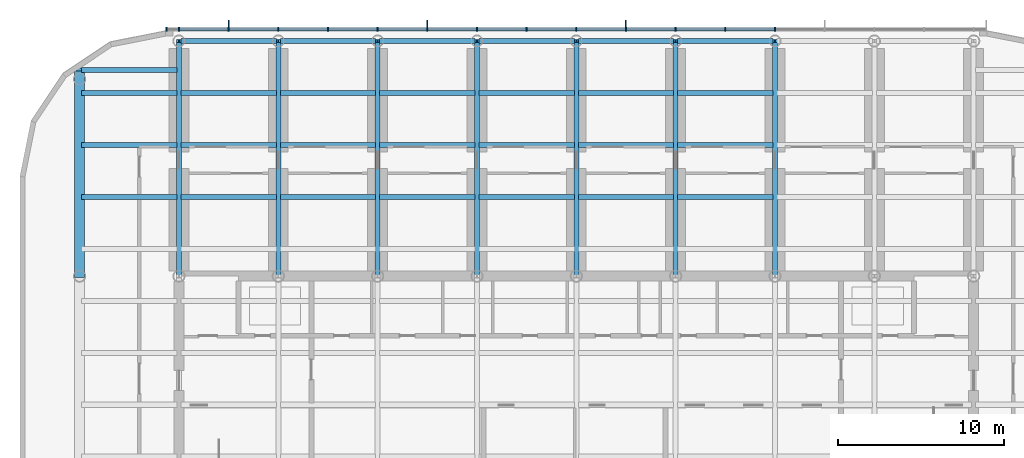
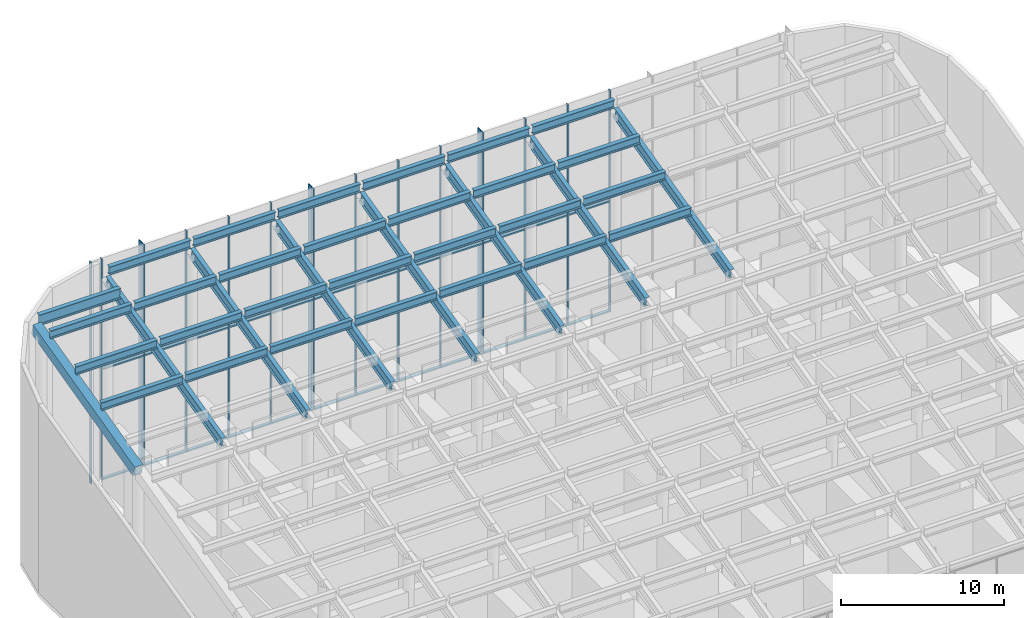
# One storey, part 4 of 14: 77 members, 1 element without a shape of its own.
"""IFC4 building model written with IfcOpenShell, lengths in metres."""

from ifc_helpers import new_model, si_unit, direction, frame, origin, origin_2d, place, context, subcontext, project, spatial, rectangle, hollow_rectangle, i_section, extrude, material, material_profile, profile_set, type_object, element, aggregate, save


model = new_model("IFC4")

# Units and contexts
model_context = context("Model", 3, precision=1e-05, world=origin(), true_north=direction((0.0, 1.0)))
body_context = subcontext(model_context, "Body", "Model", "MODEL_VIEW")
ifc_project = project(units=[si_unit("LENGTHUNIT", "METRE"), si_unit("AREAUNIT", "SQUARE_METRE"), si_unit("VOLUMEUNIT", "CUBIC_METRE"), si_unit("PLANEANGLEUNIT", "RADIAN"), si_unit("MASSUNIT", "GRAM", prefix="KILO")], contexts=[model_context])

# Site, building, storey
site_placement = place(None, origin())
site = spatial("IfcSite", under=ifc_project, at=site_placement, CompositionType="ELEMENT")
building_placement = place(site_placement, origin())
building = spatial("IfcBuilding", under=site, at=building_placement, Name="Orbita Commons", CompositionType="ELEMENT")
storey_placement = place(building_placement, frame((0.0, 0.0, 262.300048828125)))
storey = spatial("IfcBuildingStorey", under=building, at=storey_placement, Name="L65", CompositionType="ELEMENT", Elevation=262.300048828125)

# Members
ifc_material_1 = material(Name="Steel ASTM A572 Gr 50 welded plate", Category="steel")
ifc_material_profile_1 = material_profile(ifc_material_1, hollow_rectangle(XDim=0.60009765625, YDim=0.800048828125, WallThickness=0.06005859375, at=origin_2d()), Name="BOX 800x600x60")
ifc_profile_set_1 = profile_set([ifc_material_profile_1], Name="Steel ASTM A572 Gr 50 welded plate")
member_type_1 = type_object("IfcMemberType", Name="Crown end rafter BOX 800x600x60", PredefinedType="RAFTER", material=ifc_profile_set_1)
member_1_placement = place(storey_placement, frame((12.0, 38.199951171875, 11.5244140625), z_axis=(0.0, 0.970296329372, 0.2419194767), x_axis=(-1.0, 0.0, 0.0)))
element("IfcMember", 1, at=member_1_placement, inside=storey, type_object=member_type_1, Name="Crown rafter line 3 span 3", PredefinedType="RAFTER", context=body_context, shape_type="SweptSolid", body=[
    extrude(hollow_rectangle(XDim=0.60009765625, YDim=0.800048828125, WallThickness=0.06005859375, at=origin_2d()), origin(), (0.0, 0.0, 1.0), 12.866943359375),
])
ifc_material_2 = material(Name="Steel ASTM A992", Category="steel")
ifc_material_profile_2 = material_profile(ifc_material_2, i_section(OverallWidth=0.304931640625, OverallDepth=0.6201171875, WebThickness=0.02099609375, FlangeThickness=0.0400390625, FilletRadius=0.027099609375, at=origin_2d()), Name="HEM 600")
ifc_profile_set_2 = profile_set([ifc_material_profile_2], Name="Steel ASTM A992")
member_type_2 = type_object("IfcMemberType", Name="Crown purlin HEM 600", PredefinedType="PURLIN", material=ifc_profile_set_2)
for number, where, z_axis, x_axis, name in (
    (2, (12.1201171875, 42.984619140625, 13.42041015625), (1.0, 0.0, 0.0), (0.0, 1.0, 0.0), "Crown purlin 11 3-4"),
    (3, (18.1201171875, 42.984619140625, 13.42041015625), (1.0, 0.0, 0.0), (0.0, 1.0, 0.0), "Crown purlin 11 4-5"),
    (4, (24.1201171875, 42.984619140625, 13.42041015625), (1.0, 0.0, 0.0), (0.0, 1.0, 0.0), "Crown purlin 11 5-6"),
    (5, (30.1201171875, 42.984619140625, 13.42041015625), (1.0, 0.0, 0.0), (0.0, 1.0, 0.0), "Crown purlin 11 6-7"),
    (6, (36.1201171875, 42.984619140625, 13.42041015625), (1.0, 0.0, 0.0), (0.0, 1.0, 0.0), "Crown purlin 11 7-8"),
    (7, (42.1201171875, 42.984619140625, 13.42041015625), (1.0, 0.0, 0.0), (0.0, 1.0, 0.0), "Crown purlin 11 8-9"),
    (8, (48.1201171875, 42.984619140625, 13.42041015625), (1.0, 0.0, 0.0), (0.0, 1.0, 0.0), "Crown purlin 11 9-10"),
    (9, (12.1201171875, 46.123046875, 14.202880859375), (1.0, 0.0, 0.0), (0.0, 1.0, 0.0), "Crown purlin 12 3-4"),
    (10, (18.1201171875, 46.123046875, 14.202880859375), (1.0, 0.0, 0.0), (0.0, 1.0, 0.0), "Crown purlin 12 4-5"),
    (11, (24.1201171875, 46.123046875, 14.202880859375), (1.0, 0.0, 0.0), (0.0, 1.0, 0.0), "Crown purlin 12 5-6"),
    (12, (30.1201171875, 46.123046875, 14.202880859375), (1.0, 0.0, 0.0), (0.0, 1.0, 0.0), "Crown purlin 12 6-7"),
    (13, (36.1201171875, 46.123046875, 14.202880859375), (1.0, 0.0, 0.0), (0.0, 1.0, 0.0), "Crown purlin 12 7-8"),
    (14, (42.1201171875, 46.123046875, 14.202880859375), (1.0, 0.0, 0.0), (0.0, 1.0, 0.0), "Crown purlin 12 8-9"),
    (15, (48.1201171875, 46.123046875, 14.202880859375), (1.0, 0.0, 0.0), (0.0, 1.0, 0.0), "Crown purlin 12 9-10"),
    (16, (12.1201171875, 49.261474609375, 14.985595703125), (1.0, 0.0, 0.0), (0.0, 1.0, 0.0), "Crown purlin 13 3-4"),
    (17, (18.1201171875, 49.261474609375, 14.985595703125), (1.0, 0.0, 0.0), (0.0, 1.0, 0.0), "Crown purlin 13 4-5"),
    (18, (24.1201171875, 49.261474609375, 14.985595703125), (1.0, 0.0, 0.0), (0.0, 1.0, 0.0), "Crown purlin 13 5-6"),
    (19, (30.1201171875, 49.261474609375, 14.985595703125), (1.0, 0.0, 0.0), (0.0, 1.0, 0.0), "Crown purlin 13 6-7"),
    (20, (36.1201171875, 49.261474609375, 14.985595703125), (1.0, 0.0, 0.0), (0.0, 1.0, 0.0), "Crown purlin 13 7-8"),
    (21, (42.1201171875, 49.261474609375, 14.985595703125), (1.0, 0.0, 0.0), (0.0, 1.0, 0.0), "Crown purlin 13 8-9"),
    (22, (48.1201171875, 49.261474609375, 14.985595703125), (1.0, 0.0, 0.0), (0.0, 1.0, 0.0), "Crown purlin 13 9-10"),
    (23, (18.1201171875, 52.39990234375, 15.76806640625), (1.0, 0.0, 0.0), (0.0, 1.0, 0.0), "Crown purlin 14 4-5"),
    (24, (24.1201171875, 52.39990234375, 15.76806640625), (1.0, 0.0, 0.0), (0.0, 1.0, 0.0), "Crown purlin 14 5-6"),
    (25, (30.1201171875, 52.39990234375, 15.76806640625), (1.0, 0.0, 0.0), (0.0, 1.0, 0.0), "Crown purlin 14 6-7"),
    (26, (36.1201171875, 52.39990234375, 15.76806640625), (1.0, 0.0, 0.0), (0.0, 1.0, 0.0), "Crown purlin 14 7-8"),
    (27, (42.1201171875, 52.39990234375, 15.76806640625), (1.0, 0.0, 0.0), (0.0, 1.0, 0.0), "Crown purlin 14 8-9"),
    (28, (48.1201171875, 52.39990234375, 15.76806640625), (1.0, 0.0, 0.0), (0.0, 1.0, 0.0), "Crown purlin 14 9-10"),
):
    element("IfcMember", number, at=place(storey_placement, frame(where, z_axis=z_axis, x_axis=x_axis)), inside=storey, type_object=member_type_2, Name=name, PredefinedType="PURLIN", context=body_context, shape_type="SweptSolid", body=[
        extrude(i_section(OverallWidth=0.304931640625, OverallDepth=0.6201171875, WebThickness=0.02099609375, FlangeThickness=0.0400390625, FilletRadius=0.027099609375, at=origin_2d()), origin(), (0.0, 0.0, 1.0), 5.759765625),
    ])
ifc_material_3 = material(Name="Steel ASTM A992", Category="steel")
ifc_material_profile_3 = material_profile(ifc_material_3, i_section(OverallWidth=0.302978515625, OverallDepth=0.81396484375, WebThickness=0.02099609375, FlangeThickness=0.0400390625, FilletRadius=0.030029296875, at=origin_2d()), Name="HEM 800")
ifc_profile_set_3 = profile_set([ifc_material_profile_3], Name="Steel ASTM A992")
member_type_3 = type_object("IfcMemberType", Name="Crown purlin HEM 800", PredefinedType="PURLIN", material=ifc_profile_set_3)
member_2_placement = place(storey_placement, frame((12.1201171875, 50.64990234375, 15.23486328125), z_axis=(1.0, 0.0, 0.0), x_axis=(0.0, 1.0, 0.0)))
element("IfcMember", 29, at=member_2_placement, inside=storey, type_object=member_type_3, Name="Crown purlin 14 3-4", PredefinedType="PURLIN", context=body_context, shape_type="SweptSolid", body=[
    extrude(i_section(OverallWidth=0.302978515625, OverallDepth=0.81396484375, WebThickness=0.02099609375, FlangeThickness=0.0400390625, FilletRadius=0.030029296875, at=origin_2d()), origin(), (0.0, 0.0, 1.0), 5.759765625),
])
ifc_material_4 = material(Name="Steel ASTM A992", Category="steel")
ifc_material_profile_4 = material_profile(ifc_material_4, i_section(OverallWidth=0.302978515625, OverallDepth=0.81396484375, WebThickness=0.02099609375, FlangeThickness=0.0400390625, FilletRadius=0.030029296875, at=origin_2d()), Name="HEM 800")
ifc_profile_set_4 = profile_set([ifc_material_profile_4], Name="Steel ASTM A992")
member_type_4 = type_object("IfcMemberType", Name="Crown rafter HEM 800", PredefinedType="RAFTER", material=ifc_profile_set_4)
for number, where, z_axis, x_axis, name in (
    (30, (18.0, 38.199951171875, 11.51708984375), (0.0, 0.97029441297, 0.24192716292), (-1.0, 0.0, 0.0), "Crown rafter line 4 span 3"),
    (31, (24.0, 38.199951171875, 11.51708984375), (0.0, 0.97029441297, 0.24192716292), (-1.0, 0.0, 0.0), "Crown rafter line 5 span 3"),
    (32, (30.0, 38.199951171875, 11.51708984375), (0.0, 0.97029441297, 0.24192716292), (-1.0, 0.0, 0.0), "Crown rafter line 6 span 3"),
    (33, (36.0, 38.199951171875, 11.51708984375), (0.0, 0.97029441297, 0.24192716292), (-1.0, 0.0, 0.0), "Crown rafter line 7 span 3"),
    (34, (42.0, 38.199951171875, 11.51708984375), (0.0, 0.97029441297, 0.24192716292), (-1.0, 0.0, 0.0), "Crown rafter line 8 span 3"),
    (35, (48.0, 38.199951171875, 11.51708984375), (0.0, 0.97029441297, 0.24192716292), (-1.0, 0.0, 0.0), "Crown rafter line 9 span 3"),
    (36, (54.0, 38.199951171875, 11.51708984375), (0.0, 0.97029441297, 0.24192716292), (-1.0, 0.0, 0.0), "Crown rafter line 10 span 3"),
):
    element("IfcMember", number, at=place(storey_placement, frame(where, z_axis=z_axis, x_axis=x_axis)), inside=storey, type_object=member_type_4, Name=name, PredefinedType="RAFTER", context=body_context, shape_type="SweptSolid", body=[
        extrude(i_section(OverallWidth=0.302978515625, OverallDepth=0.81396484375, WebThickness=0.02099609375, FlangeThickness=0.0400390625, FilletRadius=0.030029296875, at=origin_2d()), origin(), (0.0, 0.0, 1.0), 14.634765625),
    ])

# Curtain wall, members
ifc_material_5 = material(Name="Anodised aluminium frame, pale silver", Category="aluminium")
curtain_wall_type = type_object("IfcCurtainWallType", Name="Crown curtain wall CW-C", PredefinedType="NOTDEFINED", material=ifc_material_5)
curtain_wall_placement = place(storey_placement, origin())
curtain_wall = element("IfcCurtainWall", 37, at=curtain_wall_placement, inside=storey, type_object=curtain_wall_type, Name="Curtain wall north L65", PredefinedType="NOTDEFINED")
ifc_material_6 = material(Name="Anodised aluminium, pale silver", Category="aluminium")
ifc_material_profile_5 = material_profile(ifc_material_6, rectangle(XDim=0.080078125, YDim=0.219970703125, at=origin_2d()), Name="AL 80x220")
ifc_profile_set_5 = profile_set([ifc_material_profile_5], Name="Anodised aluminium, pale silver")
member_type_5 = type_object("IfcMemberType", Name="Curtain wall mullion 80x220", PredefinedType="MULLION", material=ifc_profile_set_5)
member_3_placement = place(storey_placement, frame((54.0, 53.110107421875, -0.300048828125), z_axis=(0.0, 0.0, 1.0), x_axis=(-1.0, 0.0, 0.0)))
member_3 = element("IfcMember", 38, at=member_3_placement, type_object=member_type_5, Name="Mullion 6 CW-L65-N", PredefinedType="MULLION", context=body_context, shape_type="SweptSolid", body=[
    extrude(rectangle(XDim=0.080078125, YDim=0.219970703125, at=origin_2d()), origin(), (0.0, 0.0, 1.0), 16.57177734375),
])
member_4_placement = place(storey_placement, frame((51.0, 53.110107421875, -0.300048828125), z_axis=(0.0, 0.0, 1.0), x_axis=(-1.0, 0.0, 0.0)))
member_4 = element("IfcMember", 39, at=member_4_placement, type_object=member_type_5, Name="Mullion 7 CW-L65-N", PredefinedType="MULLION", context=body_context, shape_type="SweptSolid", body=[
    extrude(rectangle(XDim=0.080078125, YDim=0.219970703125, at=origin_2d()), origin(), (0.0, 0.0, 1.0), 16.57177734375),
])
member_5_placement = place(storey_placement, frame((48.0, 53.110107421875, -0.300048828125), z_axis=(0.0, 0.0, 1.0), x_axis=(-1.0, 0.0, 0.0)))
member_5 = element("IfcMember", 40, at=member_5_placement, type_object=member_type_5, Name="Mullion 8 CW-L65-N", PredefinedType="MULLION", context=body_context, shape_type="SweptSolid", body=[
    extrude(rectangle(XDim=0.080078125, YDim=0.219970703125, at=origin_2d()), origin(), (0.0, 0.0, 1.0), 16.57177734375),
])
member_6_placement = place(storey_placement, frame((45.0, 53.110107421875, -0.300048828125), z_axis=(0.0, 0.0, 1.0), x_axis=(-1.0, 0.0, 0.0)))
member_6 = element("IfcMember", 41, at=member_6_placement, type_object=member_type_5, Name="Mullion 9 CW-L65-N", PredefinedType="MULLION", context=body_context, shape_type="SweptSolid", body=[
    extrude(rectangle(XDim=0.080078125, YDim=0.219970703125, at=origin_2d()), origin(), (0.0, 0.0, 1.0), 16.57177734375),
])
member_7_placement = place(storey_placement, frame((42.0, 53.110107421875, -0.300048828125), z_axis=(0.0, 0.0, 1.0), x_axis=(-1.0, 0.0, 0.0)))
member_7 = element("IfcMember", 42, at=member_7_placement, type_object=member_type_5, Name="Mullion 10 CW-L65-N", PredefinedType="MULLION", context=body_context, shape_type="SweptSolid", body=[
    extrude(rectangle(XDim=0.080078125, YDim=0.219970703125, at=origin_2d()), origin(), (0.0, 0.0, 1.0), 16.57177734375),
])
member_8_placement = place(storey_placement, frame((39.0, 53.110107421875, -0.300048828125), z_axis=(0.0, 0.0, 1.0), x_axis=(-1.0, 0.0, 0.0)))
member_8 = element("IfcMember", 43, at=member_8_placement, type_object=member_type_5, Name="Mullion 11 CW-L65-N", PredefinedType="MULLION", context=body_context, shape_type="SweptSolid", body=[
    extrude(rectangle(XDim=0.080078125, YDim=0.219970703125, at=origin_2d()), origin(), (0.0, 0.0, 1.0), 16.57177734375),
])
member_9_placement = place(storey_placement, frame((36.0, 53.110107421875, -0.300048828125), z_axis=(0.0, 0.0, 1.0), x_axis=(-1.0, 0.0, 0.0)))
member_9 = element("IfcMember", 44, at=member_9_placement, type_object=member_type_5, Name="Mullion 12 CW-L65-N", PredefinedType="MULLION", context=body_context, shape_type="SweptSolid", body=[
    extrude(rectangle(XDim=0.080078125, YDim=0.219970703125, at=origin_2d()), origin(), (0.0, 0.0, 1.0), 16.57177734375),
])
member_10_placement = place(storey_placement, frame((33.0, 53.110107421875, -0.300048828125), z_axis=(0.0, 0.0, 1.0), x_axis=(-1.0, 0.0, 0.0)))
member_10 = element("IfcMember", 45, at=member_10_placement, type_object=member_type_5, Name="Mullion 13 CW-L65-N", PredefinedType="MULLION", context=body_context, shape_type="SweptSolid", body=[
    extrude(rectangle(XDim=0.080078125, YDim=0.219970703125, at=origin_2d()), origin(), (0.0, 0.0, 1.0), 16.57177734375),
])
member_11_placement = place(storey_placement, frame((30.0, 53.110107421875, -0.300048828125), z_axis=(0.0, 0.0, 1.0), x_axis=(-1.0, 0.0, 0.0)))
member_11 = element("IfcMember", 46, at=member_11_placement, type_object=member_type_5, Name="Mullion 14 CW-L65-N", PredefinedType="MULLION", context=body_context, shape_type="SweptSolid", body=[
    extrude(rectangle(XDim=0.080078125, YDim=0.219970703125, at=origin_2d()), origin(), (0.0, 0.0, 1.0), 16.57177734375),
])
member_12_placement = place(storey_placement, frame((27.0, 53.110107421875, -0.300048828125), z_axis=(0.0, 0.0, 1.0), x_axis=(-1.0, 0.0, 0.0)))
member_12 = element("IfcMember", 47, at=member_12_placement, type_object=member_type_5, Name="Mullion 15 CW-L65-N", PredefinedType="MULLION", context=body_context, shape_type="SweptSolid", body=[
    extrude(rectangle(XDim=0.080078125, YDim=0.219970703125, at=origin_2d()), origin(), (0.0, 0.0, 1.0), 16.57177734375),
])
member_13_placement = place(storey_placement, frame((24.0, 53.110107421875, -0.300048828125), z_axis=(0.0, 0.0, 1.0), x_axis=(-1.0, 0.0, 0.0)))
member_13 = element("IfcMember", 48, at=member_13_placement, type_object=member_type_5, Name="Mullion 16 CW-L65-N", PredefinedType="MULLION", context=body_context, shape_type="SweptSolid", body=[
    extrude(rectangle(XDim=0.080078125, YDim=0.219970703125, at=origin_2d()), origin(), (0.0, 0.0, 1.0), 16.57177734375),
])
member_14_placement = place(storey_placement, frame((21.0, 53.110107421875, -0.300048828125), z_axis=(0.0, 0.0, 1.0), x_axis=(-1.0, 0.0, 0.0)))
member_14 = element("IfcMember", 49, at=member_14_placement, type_object=member_type_5, Name="Mullion 17 CW-L65-N", PredefinedType="MULLION", context=body_context, shape_type="SweptSolid", body=[
    extrude(rectangle(XDim=0.080078125, YDim=0.219970703125, at=origin_2d()), origin(), (0.0, 0.0, 1.0), 16.57177734375),
])
member_15_placement = place(storey_placement, frame((18.0, 53.110107421875, -0.300048828125), z_axis=(0.0, 0.0, 1.0), x_axis=(-1.0, 0.0, 0.0)))
member_15 = element("IfcMember", 50, at=member_15_placement, type_object=member_type_5, Name="Mullion 18 CW-L65-N", PredefinedType="MULLION", context=body_context, shape_type="SweptSolid", body=[
    extrude(rectangle(XDim=0.080078125, YDim=0.219970703125, at=origin_2d()), origin(), (0.0, 0.0, 1.0), 16.57177734375),
])
member_16_placement = place(storey_placement, frame((17.239990234375, 53.110107421875, -0.300048828125), z_axis=(0.0, 0.0, 1.0), x_axis=(-1.0, 0.0, 0.0)))
member_16 = element("IfcMember", 51, at=member_16_placement, type_object=member_type_5, Name="Mullion 19 CW-L65-N", PredefinedType="MULLION", context=body_context, shape_type="SweptSolid", body=[
    extrude(rectangle(XDim=0.080078125, YDim=0.219970703125, at=origin_2d()), origin(), (0.0, 0.0, 1.0), 16.57177734375),
])
ifc_material_7 = material(Name="Anodised aluminium, pale silver", Category="aluminium")
ifc_material_profile_6 = material_profile(ifc_material_7, rectangle(XDim=0.219970703125, YDim=0.10009765625, at=origin_2d()), Name="AL 220x100")
ifc_profile_set_6 = profile_set([ifc_material_profile_6], Name="Anodised aluminium, pale silver")
member_type_6 = type_object("IfcMemberType", Name="Curtain wall stack transom 220x100", PredefinedType="USERDEFINED", material=ifc_profile_set_6)
member_17_placement = place(storey_placement, frame((53.9599609375, 53.110107421875, -0.25), z_axis=(-1.0, 0.0, 0.0), x_axis=(0.0, -1.0, 0.0)))
member_17 = element("IfcMember", 52, at=member_17_placement, type_object=member_type_6, Name="Transom 6.1 CW-L65-N", ObjectType="TRANSOM", PredefinedType="USERDEFINED", context=body_context, shape_type="SweptSolid", body=[
    extrude(rectangle(XDim=0.219970703125, YDim=0.10009765625, at=origin_2d()), origin(), (0.0, 0.0, 1.0), 2.919921875),
])
member_18_placement = place(storey_placement, frame((53.9599609375, 53.110107421875, 7.98583984375), z_axis=(-1.0, 0.0, 0.0), x_axis=(0.0, -1.0, 0.0)))
member_18 = element("IfcMember", 53, at=member_18_placement, type_object=member_type_6, Name="Transom 6.2 CW-L65-N", ObjectType="TRANSOM", PredefinedType="USERDEFINED", context=body_context, shape_type="SweptSolid", body=[
    extrude(rectangle(XDim=0.219970703125, YDim=0.10009765625, at=origin_2d()), origin(), (0.0, 0.0, 1.0), 2.919921875),
])
member_19_placement = place(storey_placement, frame((50.9599609375, 53.110107421875, -0.25), z_axis=(-1.0, 0.0, 0.0), x_axis=(0.0, -1.0, 0.0)))
member_19 = element("IfcMember", 54, at=member_19_placement, type_object=member_type_6, Name="Transom 7.1 CW-L65-N", ObjectType="TRANSOM", PredefinedType="USERDEFINED", context=body_context, shape_type="SweptSolid", body=[
    extrude(rectangle(XDim=0.219970703125, YDim=0.10009765625, at=origin_2d()), origin(), (0.0, 0.0, 1.0), 2.919921875),
])
member_20_placement = place(storey_placement, frame((50.9599609375, 53.110107421875, 7.98583984375), z_axis=(-1.0, 0.0, 0.0), x_axis=(0.0, -1.0, 0.0)))
member_20 = element("IfcMember", 55, at=member_20_placement, type_object=member_type_6, Name="Transom 7.2 CW-L65-N", ObjectType="TRANSOM", PredefinedType="USERDEFINED", context=body_context, shape_type="SweptSolid", body=[
    extrude(rectangle(XDim=0.219970703125, YDim=0.10009765625, at=origin_2d()), origin(), (0.0, 0.0, 1.0), 2.919921875),
])
member_21_placement = place(storey_placement, frame((47.9599609375, 53.110107421875, -0.25), z_axis=(-1.0, 0.0, 0.0), x_axis=(0.0, -1.0, 0.0)))
member_21 = element("IfcMember", 56, at=member_21_placement, type_object=member_type_6, Name="Transom 8.1 CW-L65-N", ObjectType="TRANSOM", PredefinedType="USERDEFINED", context=body_context, shape_type="SweptSolid", body=[
    extrude(rectangle(XDim=0.219970703125, YDim=0.10009765625, at=origin_2d()), origin(), (0.0, 0.0, 1.0), 2.919921875),
])
member_22_placement = place(storey_placement, frame((47.9599609375, 53.110107421875, 7.98583984375), z_axis=(-1.0, 0.0, 0.0), x_axis=(0.0, -1.0, 0.0)))
member_22 = element("IfcMember", 57, at=member_22_placement, type_object=member_type_6, Name="Transom 8.2 CW-L65-N", ObjectType="TRANSOM", PredefinedType="USERDEFINED", context=body_context, shape_type="SweptSolid", body=[
    extrude(rectangle(XDim=0.219970703125, YDim=0.10009765625, at=origin_2d()), origin(), (0.0, 0.0, 1.0), 2.919921875),
])
member_23_placement = place(storey_placement, frame((44.9599609375, 53.110107421875, -0.25), z_axis=(-1.0, 0.0, 0.0), x_axis=(0.0, -1.0, 0.0)))
member_23 = element("IfcMember", 58, at=member_23_placement, type_object=member_type_6, Name="Transom 9.1 CW-L65-N", ObjectType="TRANSOM", PredefinedType="USERDEFINED", context=body_context, shape_type="SweptSolid", body=[
    extrude(rectangle(XDim=0.219970703125, YDim=0.10009765625, at=origin_2d()), origin(), (0.0, 0.0, 1.0), 2.919921875),
])
member_24_placement = place(storey_placement, frame((44.9599609375, 53.110107421875, 7.98583984375), z_axis=(-1.0, 0.0, 0.0), x_axis=(0.0, -1.0, 0.0)))
member_24 = element("IfcMember", 59, at=member_24_placement, type_object=member_type_6, Name="Transom 9.2 CW-L65-N", ObjectType="TRANSOM", PredefinedType="USERDEFINED", context=body_context, shape_type="SweptSolid", body=[
    extrude(rectangle(XDim=0.219970703125, YDim=0.10009765625, at=origin_2d()), origin(), (0.0, 0.0, 1.0), 2.919921875),
])
member_25_placement = place(storey_placement, frame((41.9599609375, 53.110107421875, -0.25), z_axis=(-1.0, 0.0, 0.0), x_axis=(0.0, -1.0, 0.0)))
member_25 = element("IfcMember", 60, at=member_25_placement, type_object=member_type_6, Name="Transom 10.1 CW-L65-N", ObjectType="TRANSOM", PredefinedType="USERDEFINED", context=body_context, shape_type="SweptSolid", body=[
    extrude(rectangle(XDim=0.219970703125, YDim=0.10009765625, at=origin_2d()), origin(), (0.0, 0.0, 1.0), 2.919921875),
])
member_26_placement = place(storey_placement, frame((41.9599609375, 53.110107421875, 7.98583984375), z_axis=(-1.0, 0.0, 0.0), x_axis=(0.0, -1.0, 0.0)))
member_26 = element("IfcMember", 61, at=member_26_placement, type_object=member_type_6, Name="Transom 10.2 CW-L65-N", ObjectType="TRANSOM", PredefinedType="USERDEFINED", context=body_context, shape_type="SweptSolid", body=[
    extrude(rectangle(XDim=0.219970703125, YDim=0.10009765625, at=origin_2d()), origin(), (0.0, 0.0, 1.0), 2.919921875),
])
member_27_placement = place(storey_placement, frame((38.9599609375, 53.110107421875, -0.25), z_axis=(-1.0, 0.0, 0.0), x_axis=(0.0, -1.0, 0.0)))
member_27 = element("IfcMember", 62, at=member_27_placement, type_object=member_type_6, Name="Transom 11.1 CW-L65-N", ObjectType="TRANSOM", PredefinedType="USERDEFINED", context=body_context, shape_type="SweptSolid", body=[
    extrude(rectangle(XDim=0.219970703125, YDim=0.10009765625, at=origin_2d()), origin(), (0.0, 0.0, 1.0), 2.919921875),
])
member_28_placement = place(storey_placement, frame((38.9599609375, 53.110107421875, 7.98583984375), z_axis=(-1.0, 0.0, 0.0), x_axis=(0.0, -1.0, 0.0)))
member_28 = element("IfcMember", 63, at=member_28_placement, type_object=member_type_6, Name="Transom 11.2 CW-L65-N", ObjectType="TRANSOM", PredefinedType="USERDEFINED", context=body_context, shape_type="SweptSolid", body=[
    extrude(rectangle(XDim=0.219970703125, YDim=0.10009765625, at=origin_2d()), origin(), (0.0, 0.0, 1.0), 2.919921875),
])
member_29_placement = place(storey_placement, frame((35.9599609375, 53.110107421875, -0.25), z_axis=(-1.0, 0.0, 0.0), x_axis=(0.0, -1.0, 0.0)))
member_29 = element("IfcMember", 64, at=member_29_placement, type_object=member_type_6, Name="Transom 12.1 CW-L65-N", ObjectType="TRANSOM", PredefinedType="USERDEFINED", context=body_context, shape_type="SweptSolid", body=[
    extrude(rectangle(XDim=0.219970703125, YDim=0.10009765625, at=origin_2d()), origin(), (0.0, 0.0, 1.0), 2.919921875),
])
member_30_placement = place(storey_placement, frame((35.9599609375, 53.110107421875, 7.98583984375), z_axis=(-1.0, 0.0, 0.0), x_axis=(0.0, -1.0, 0.0)))
member_30 = element("IfcMember", 65, at=member_30_placement, type_object=member_type_6, Name="Transom 12.2 CW-L65-N", ObjectType="TRANSOM", PredefinedType="USERDEFINED", context=body_context, shape_type="SweptSolid", body=[
    extrude(rectangle(XDim=0.219970703125, YDim=0.10009765625, at=origin_2d()), origin(), (0.0, 0.0, 1.0), 2.919921875),
])
member_31_placement = place(storey_placement, frame((32.9599609375, 53.110107421875, -0.25), z_axis=(-1.0, 0.0, 0.0), x_axis=(0.0, -1.0, 0.0)))
member_31 = element("IfcMember", 66, at=member_31_placement, type_object=member_type_6, Name="Transom 13.1 CW-L65-N", ObjectType="TRANSOM", PredefinedType="USERDEFINED", context=body_context, shape_type="SweptSolid", body=[
    extrude(rectangle(XDim=0.219970703125, YDim=0.10009765625, at=origin_2d()), origin(), (0.0, 0.0, 1.0), 2.919921875),
])
member_32_placement = place(storey_placement, frame((32.9599609375, 53.110107421875, 7.98583984375), z_axis=(-1.0, 0.0, 0.0), x_axis=(0.0, -1.0, 0.0)))
member_32 = element("IfcMember", 67, at=member_32_placement, type_object=member_type_6, Name="Transom 13.2 CW-L65-N", ObjectType="TRANSOM", PredefinedType="USERDEFINED", context=body_context, shape_type="SweptSolid", body=[
    extrude(rectangle(XDim=0.219970703125, YDim=0.10009765625, at=origin_2d()), origin(), (0.0, 0.0, 1.0), 2.919921875),
])
member_33_placement = place(storey_placement, frame((29.9599609375, 53.110107421875, -0.25), z_axis=(-1.0, 0.0, 0.0), x_axis=(0.0, -1.0, 0.0)))
member_33 = element("IfcMember", 68, at=member_33_placement, type_object=member_type_6, Name="Transom 14.1 CW-L65-N", ObjectType="TRANSOM", PredefinedType="USERDEFINED", context=body_context, shape_type="SweptSolid", body=[
    extrude(rectangle(XDim=0.219970703125, YDim=0.10009765625, at=origin_2d()), origin(), (0.0, 0.0, 1.0), 2.919921875),
])
member_34_placement = place(storey_placement, frame((29.9599609375, 53.110107421875, 7.98583984375), z_axis=(-1.0, 0.0, 0.0), x_axis=(0.0, -1.0, 0.0)))
member_34 = element("IfcMember", 69, at=member_34_placement, type_object=member_type_6, Name="Transom 14.2 CW-L65-N", ObjectType="TRANSOM", PredefinedType="USERDEFINED", context=body_context, shape_type="SweptSolid", body=[
    extrude(rectangle(XDim=0.219970703125, YDim=0.10009765625, at=origin_2d()), origin(), (0.0, 0.0, 1.0), 2.919921875),
])
member_35_placement = place(storey_placement, frame((26.9599609375, 53.110107421875, -0.25), z_axis=(-1.0, 0.0, 0.0), x_axis=(0.0, -1.0, 0.0)))
member_35 = element("IfcMember", 70, at=member_35_placement, type_object=member_type_6, Name="Transom 15.1 CW-L65-N", ObjectType="TRANSOM", PredefinedType="USERDEFINED", context=body_context, shape_type="SweptSolid", body=[
    extrude(rectangle(XDim=0.219970703125, YDim=0.10009765625, at=origin_2d()), origin(), (0.0, 0.0, 1.0), 2.919921875),
])
member_36_placement = place(storey_placement, frame((26.9599609375, 53.110107421875, 7.98583984375), z_axis=(-1.0, 0.0, 0.0), x_axis=(0.0, -1.0, 0.0)))
member_36 = element("IfcMember", 71, at=member_36_placement, type_object=member_type_6, Name="Transom 15.2 CW-L65-N", ObjectType="TRANSOM", PredefinedType="USERDEFINED", context=body_context, shape_type="SweptSolid", body=[
    extrude(rectangle(XDim=0.219970703125, YDim=0.10009765625, at=origin_2d()), origin(), (0.0, 0.0, 1.0), 2.919921875),
])
member_37_placement = place(storey_placement, frame((23.9599609375, 53.110107421875, -0.25), z_axis=(-1.0, 0.0, 0.0), x_axis=(0.0, -1.0, 0.0)))
member_37 = element("IfcMember", 72, at=member_37_placement, type_object=member_type_6, Name="Transom 16.1 CW-L65-N", ObjectType="TRANSOM", PredefinedType="USERDEFINED", context=body_context, shape_type="SweptSolid", body=[
    extrude(rectangle(XDim=0.219970703125, YDim=0.10009765625, at=origin_2d()), origin(), (0.0, 0.0, 1.0), 2.919921875),
])
member_38_placement = place(storey_placement, frame((23.9599609375, 53.110107421875, 7.98583984375), z_axis=(-1.0, 0.0, 0.0), x_axis=(0.0, -1.0, 0.0)))
member_38 = element("IfcMember", 73, at=member_38_placement, type_object=member_type_6, Name="Transom 16.2 CW-L65-N", ObjectType="TRANSOM", PredefinedType="USERDEFINED", context=body_context, shape_type="SweptSolid", body=[
    extrude(rectangle(XDim=0.219970703125, YDim=0.10009765625, at=origin_2d()), origin(), (0.0, 0.0, 1.0), 2.919921875),
])
member_39_placement = place(storey_placement, frame((20.9599609375, 53.110107421875, -0.25), z_axis=(-1.0, 0.0, 0.0), x_axis=(0.0, -1.0, 0.0)))
member_39 = element("IfcMember", 74, at=member_39_placement, type_object=member_type_6, Name="Transom 17.1 CW-L65-N", ObjectType="TRANSOM", PredefinedType="USERDEFINED", context=body_context, shape_type="SweptSolid", body=[
    extrude(rectangle(XDim=0.219970703125, YDim=0.10009765625, at=origin_2d()), origin(), (0.0, 0.0, 1.0), 2.919921875),
])
member_40_placement = place(storey_placement, frame((20.9599609375, 53.110107421875, 7.98583984375), z_axis=(-1.0, 0.0, 0.0), x_axis=(0.0, -1.0, 0.0)))
member_40 = element("IfcMember", 75, at=member_40_placement, type_object=member_type_6, Name="Transom 17.2 CW-L65-N", ObjectType="TRANSOM", PredefinedType="USERDEFINED", context=body_context, shape_type="SweptSolid", body=[
    extrude(rectangle(XDim=0.219970703125, YDim=0.10009765625, at=origin_2d()), origin(), (0.0, 0.0, 1.0), 2.919921875),
])
ifc_material_8 = material(Name="Anodised aluminium, pale silver", Category="aluminium")
ifc_material_profile_7 = material_profile(ifc_material_8, rectangle(XDim=0.06005859375, YDim=0.449951171875, at=origin_2d()), Name="FIN 60x450")
ifc_profile_set_7 = profile_set([ifc_material_profile_7], Name="Anodised aluminium, pale silver")
member_type_7 = type_object("IfcMemberType", Name="Vertical fin 60x450 pale aluminium", PredefinedType="USERDEFINED", material=ifc_profile_set_7)
member_41_placement = place(storey_placement, frame((45.0, 53.445068359375, -0.300048828125), z_axis=(0.0, 0.0, 1.0), x_axis=(-1.0, 0.0, 0.0)))
member_41 = element("IfcMember", 76, at=member_41_placement, type_object=member_type_7, Name="Fin 9 CW-L65-N", ObjectType="FIN", PredefinedType="USERDEFINED", context=body_context, shape_type="SweptSolid", body=[
    extrude(rectangle(XDim=0.06005859375, YDim=0.449951171875, at=origin_2d()), origin(), (0.0, 0.0, 1.0), 16.57177734375),
])
member_42_placement = place(storey_placement, frame((33.0, 53.445068359375, -0.300048828125), z_axis=(0.0, 0.0, 1.0), x_axis=(-1.0, 0.0, 0.0)))
member_42 = element("IfcMember", 77, at=member_42_placement, type_object=member_type_7, Name="Fin 13 CW-L65-N", ObjectType="FIN", PredefinedType="USERDEFINED", context=body_context, shape_type="SweptSolid", body=[
    extrude(rectangle(XDim=0.06005859375, YDim=0.449951171875, at=origin_2d()), origin(), (0.0, 0.0, 1.0), 16.57177734375),
])
member_43_placement = place(storey_placement, frame((21.0, 53.445068359375, -0.300048828125), z_axis=(0.0, 0.0, 1.0), x_axis=(-1.0, 0.0, 0.0)))
member_43 = element("IfcMember", 78, at=member_43_placement, type_object=member_type_7, Name="Fin 17 CW-L65-N", ObjectType="FIN", PredefinedType="USERDEFINED", context=body_context, shape_type="SweptSolid", body=[
    extrude(rectangle(XDim=0.06005859375, YDim=0.449951171875, at=origin_2d()), origin(), (0.0, 0.0, 1.0), 16.57177734375),
])
aggregate(curtain_wall, [member_3, member_4, member_5, member_6, member_41, member_7, member_8, member_9, member_10, member_42, member_11, member_12, member_13, member_14, member_43, member_15, member_16, member_17, member_18, member_19, member_20, member_21, member_22, member_23, member_24, member_25, member_26, member_27, member_28, member_29, member_30, member_31, member_32, member_33, member_34, member_35, member_36, member_37, member_38, member_39, member_40])

save(model, "model.ifc")
